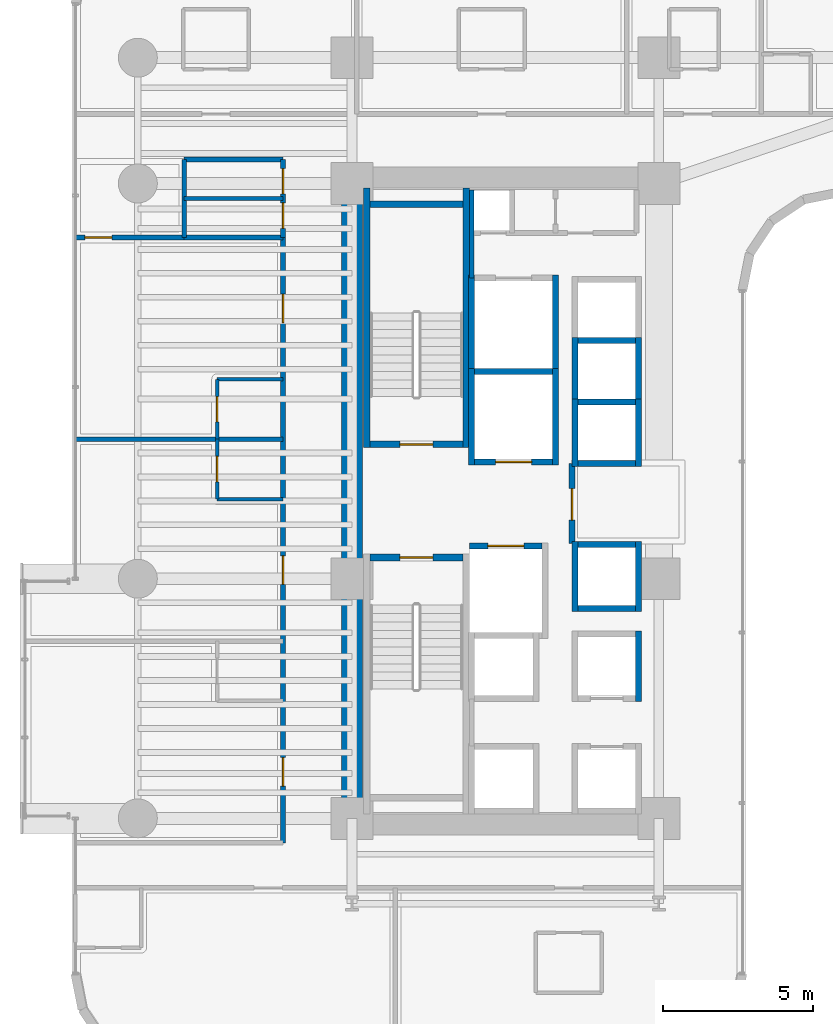
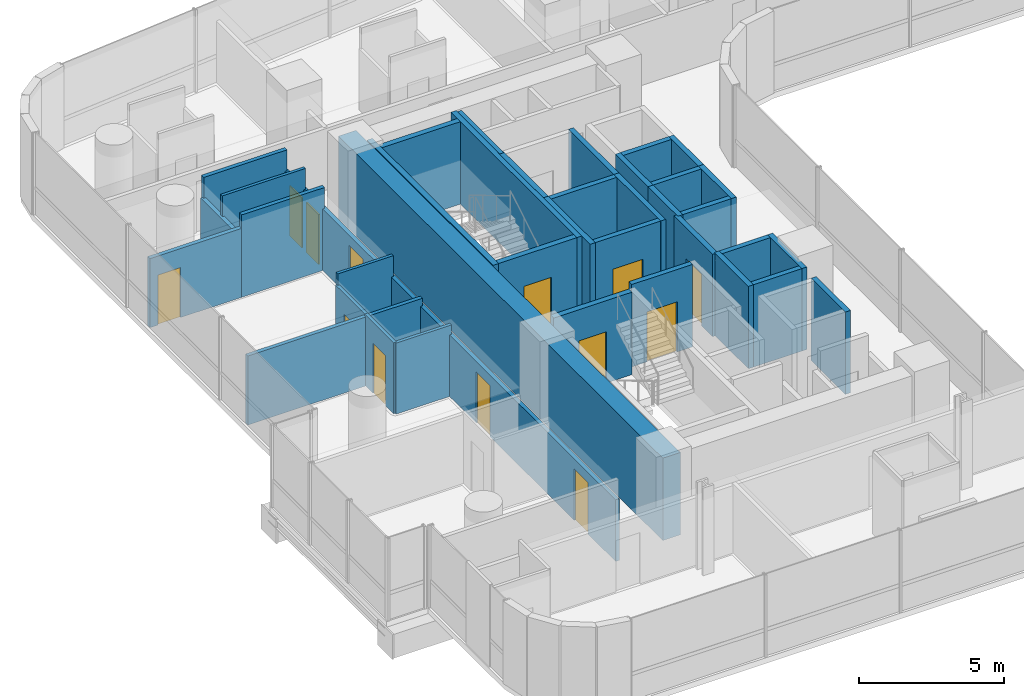
# One storey, part 31 of 42: 39 walls, 13 doors, 13 openings.
"""IFC4 building model written with IfcOpenShell, lengths in metres."""

from ifc_helpers import new_model, si_unit, direction, frame, frame_2d, origin, place, context, subcontext, project, spatial, rectangle, extrude, material, layer, layer_set, type_object, element, fill, save


model = new_model("IFC4")

# Units and contexts
model_context = context("Model", 3, precision=1e-05, world=origin(), true_north=direction((0.0, 1.0)))
body_context = subcontext(model_context, "Body", "Model", "MODEL_VIEW")
ifc_project = project(units=[si_unit("LENGTHUNIT", "METRE"), si_unit("AREAUNIT", "SQUARE_METRE"), si_unit("VOLUMEUNIT", "CUBIC_METRE"), si_unit("PLANEANGLEUNIT", "RADIAN"), si_unit("MASSUNIT", "GRAM", prefix="KILO")], contexts=[model_context])

# Site, building, storey
site_placement = place(None, origin())
site = spatial("IfcSite", under=ifc_project, at=site_placement, CompositionType="ELEMENT")
building_placement = place(site_placement, origin())
building = spatial("IfcBuilding", under=site, at=building_placement, Name="Valdorenza Pilgrim Sanctuary Tower", CompositionType="ELEMENT")
storey_placement = place(building_placement, frame((0.0, 0.0, 29.699951171875)))
storey = spatial("IfcBuildingStorey", under=building, at=storey_placement, Name="L06", CompositionType="ELEMENT", Elevation=29.699951171875)

# Walls
ifc_material_1 = material(Name="Acoustic twin-stud gypsum partition", Category="gypsum")
ifc_layer_1 = layer(ifc_material_1, 0.159912109375, Name="Acoustic twin-stud gypsum partition")
ifc_layer_set_1 = layer_set([ifc_layer_1], Name="Acoustic twin-stud gypsum partition")
wall_type_1 = type_object("IfcWallType", Name="WAL-COR-160", PredefinedType="PARTITIONING", material=ifc_layer_set_1)
wall_1_placement = place(storey_placement, frame((-18.64990234375, 7.449951171875, 0.0), z_axis=(0.0, 0.0, 1.0), x_axis=(0.0, 1.0, 0.0)))
element("IfcWall", 1, at=wall_1_placement, inside=storey, type_object=wall_type_1, Name="L06 Core A North Service West Wall", PredefinedType="PARTITIONING", context=body_context, shape_type="SweptSolid", body=[
    extrude(rectangle(XDim=2.929931640625, YDim=0.159912109375, at=frame_2d((1.46484375, 0.0))), origin(), (0.0, 0.0, 1.0), 3.4599609375),
])
wall_2_placement = place(storey_placement, frame((-28.25, 8.800048828125, 0.0), z_axis=(0.0, 0.0, 1.0), x_axis=(0.0, 1.0, 0.0)))
element("IfcWall", 2, at=wall_2_placement, inside=storey, type_object=wall_type_1, Name="L06 Washroom West Wall", PredefinedType="PARTITIONING", context=body_context, shape_type="SweptSolid", body=[
    extrude(rectangle(XDim=2.599853515625, YDim=0.159912109375, at=frame_2d((1.2998046875, 0.0))), origin(), (0.0, 0.0, 1.0), 2.5830078125),
])

# Wall, openings, doors
wall_3_placement = place(storey_placement, frame((-24.949951171875, 8.800048828125, 0.0), z_axis=(0.0, 0.0, 1.0), x_axis=(0.0, 1.0, 0.0)))
wall_3 = element("IfcWall", 3, at=wall_3_placement, inside=storey, type_object=wall_type_1, Name="L06 Washroom East Wall", PredefinedType="PARTITIONING", context=body_context, shape_type="SweptSolid", body=[
    extrude(rectangle(XDim=2.599853515625, YDim=0.159912109375, at=frame_2d((1.2998046875, 0.0))), origin(), (0.0, 0.0, 1.0), 2.5830078125),
])
opening_1_placement = place(wall_3_placement, frame((0.300048828125, 0.0, 0.0)))
opening_1 = element("IfcOpeningElement", 4, at=opening_1_placement, cuts=wall_3, Name="Opening DR-WC1", PredefinedType="OPENING", context=body_context, shape_type="SweptSolid", body=[
    extrude(rectangle(XDim=0.85009765625, YDim=2.10009765625, at=frame_2d((0.425048828125, 1.050048828125))), frame((0.0, 0.0947265625, 0.0), z_axis=(0.0, -1.0, 0.0), x_axis=(1.0, 0.0, 0.0)), (0.0, 0.0, 1.0), 0.189697265625),
])
opening_2_placement = place(wall_3_placement, frame((1.449951171875, 0.0, 0.0)))
opening_2 = element("IfcOpeningElement", 5, at=opening_2_placement, cuts=wall_3, Name="Opening DR-WC1", PredefinedType="OPENING", context=body_context, shape_type="SweptSolid", body=[
    extrude(rectangle(XDim=0.85009765625, YDim=2.10009765625, at=frame_2d((0.425048828125, 1.050048828125))), frame((0.0, 0.0947265625, 0.0), z_axis=(0.0, -1.0, 0.0), x_axis=(1.0, 0.0, 0.0)), (0.0, 0.0, 1.0), 0.189697265625),
])
ifc_material_2 = material(Name="Moisture-resistant lacquered timber", Category="wood")
door_type_1 = type_object("IfcDoorType", Name="DR-BATH-850", OperationType="NOTDEFINED", PredefinedType="DOOR", material=ifc_material_2)
door_1_placement = place(opening_1_placement, origin())
door_1 = element("IfcDoor", 6, at=door_1_placement, inside=storey, type_object=door_type_1, Name="L06 Accessible Washroom Door", OperationType="SINGLE_SWING_RIGHT", OverallHeight=2.10009765625, OverallWidth=0.85009765625, PredefinedType="DOOR", context=body_context, shape_type="SweptSolid", body=[
    extrude(rectangle(XDim=0.85009765625, YDim=2.10009765625, at=frame_2d((0.425048828125, 1.050048828125))), frame((0.0, 0.02490234375, 0.0), z_axis=(0.0, -1.0, 0.0), x_axis=(1.0, 0.0, 0.0)), (0.0, 0.0, 1.0), 0.050048828125),
])
fill(opening_1, door_1)
door_2_placement = place(opening_2_placement, origin())
door_2 = element("IfcDoor", 7, at=door_2_placement, inside=storey, type_object=door_type_1, Name="L06 Public Washroom Door", OperationType="SINGLE_SWING_LEFT", OverallHeight=2.10009765625, OverallWidth=0.85009765625, PredefinedType="DOOR", context=body_context, shape_type="SweptSolid", body=[
    extrude(rectangle(XDim=0.85009765625, YDim=2.10009765625, at=frame_2d((0.425048828125, 1.050048828125))), frame((0.0, 0.02490234375, 0.0), z_axis=(0.0, -1.0, 0.0), x_axis=(1.0, 0.0, 0.0)), (0.0, 0.0, 1.0), 0.050048828125),
])
fill(opening_2, door_2)

# Walls
for number, where, z_axis, x_axis, name in (
    (8, (-28.25, 8.800048828125, 0.0), (0.0, 0.0, 1.0), (1.0, 0.0, 0.0), "L06 Washroom South Wall"),
    (9, (-28.25, 11.39990234375, 0.0), (0.0, 0.0, 1.0), (1.0, 0.0, 0.0), "L06 Washroom North Wall"),
):
    element("IfcWall", number, at=place(storey_placement, frame(where, z_axis=z_axis, x_axis=x_axis)), inside=storey, type_object=wall_type_1, Name=name, PredefinedType="PARTITIONING", context=body_context, shape_type="SweptSolid", body=[
        extrude(rectangle(XDim=3.300048828125, YDim=0.159912109375, at=frame_2d((1.64990234375, 0.0))), origin(), (0.0, 0.0, 1.0), 3.4599609375),
    ])

# Wall, openings, doors
wall_4_placement = place(storey_placement, frame((-24.949951171875, -11.419921875, 0.0), z_axis=(0.0, 0.0, 1.0), x_axis=(0.0, 1.0, 0.0)))
wall_4 = element("IfcWall", 10, at=wall_4_placement, inside=storey, type_object=wall_type_1, Name="L06 West Wing Corridor Wall", PredefinedType="PARTITIONING", context=body_context, shape_type="SweptSolid", body=[
    extrude(rectangle(XDim=20.219970703125, YDim=0.159912109375, at=frame_2d((10.10986328125, 0.0))), origin(), (0.0, 0.0, 1.0), 2.5830078125),
])
opening_3_placement = place(wall_4_placement, frame((1.89501953125, 0.0, 0.0)))
opening_3 = element("IfcOpeningElement", 11, at=opening_3_placement, cuts=wall_4, Name="Opening DR-UN1", PredefinedType="OPENING", context=body_context, shape_type="SweptSolid", body=[
    extrude(rectangle(XDim=0.949951171875, YDim=2.14990234375, at=frame_2d((0.47509765625, 1.074951171875))), frame((0.0, 0.0947265625, 0.0), z_axis=(0.0, -1.0, 0.0), x_axis=(1.0, 0.0, 0.0)), (0.0, 0.0, 1.0), 0.189697265625),
])
opening_4_placement = place(wall_4_placement, frame((8.635009765625, 0.0, 0.0)))
opening_4 = element("IfcOpeningElement", 12, at=opening_4_placement, cuts=wall_4, Name="Opening DR-UN1", PredefinedType="OPENING", context=body_context, shape_type="SweptSolid", body=[
    extrude(rectangle(XDim=0.949951171875, YDim=2.14990234375, at=frame_2d((0.47509765625, 1.074951171875))), frame((0.0, 0.0947265625, 0.0), z_axis=(0.0, -1.0, 0.0), x_axis=(1.0, 0.0, 0.0)), (0.0, 0.0, 1.0), 0.189697265625),
])
opening_5_placement = place(wall_4_placement, frame((17.375, 0.0, 0.0)))
opening_5 = element("IfcOpeningElement", 13, at=opening_5_placement, cuts=wall_4, Name="Opening DR-UN1", PredefinedType="OPENING", context=body_context, shape_type="SweptSolid", body=[
    extrude(rectangle(XDim=0.949951171875, YDim=2.14990234375, at=frame_2d((0.47509765625, 1.074951171875))), frame((0.0, 0.0947265625, 0.0), z_axis=(0.0, -1.0, 0.0), x_axis=(1.0, 0.0, 0.0)), (0.0, 0.0, 1.0), 0.189697265625),
])
ifc_material_3 = material(Name="Solid-core European oak timber", Category="wood")
door_type_2 = type_object("IfcDoorType", Name="DR-UNIT-950", OperationType="NOTDEFINED", PredefinedType="DOOR", material=ifc_material_3)
door_3_placement = place(opening_3_placement, frame((0.949951171875, 0.0, 0.0), z_axis=(0.0, 0.0, 1.0), x_axis=(-1.0, 0.0, 0.0)))
door_3 = element("IfcDoor", 14, at=door_3_placement, inside=storey, type_object=door_type_2, Name="L06 Pilgrim Guest Room L06-W1 Entrance Door", OperationType="SINGLE_SWING_LEFT", OverallHeight=2.14990234375, OverallWidth=0.949951171875, PredefinedType="DOOR", context=body_context, shape_type="SweptSolid", body=[
    extrude(rectangle(XDim=0.949951171875, YDim=2.14990234375, at=frame_2d((0.47509765625, 1.074951171875))), frame((0.0, 0.02490234375, 0.0), z_axis=(0.0, -1.0, 0.0), x_axis=(1.0, 0.0, 0.0)), (0.0, 0.0, 1.0), 0.050048828125),
])
fill(opening_3, door_3)
door_4_placement = place(opening_4_placement, frame((0.949951171875, 0.0, 0.0), z_axis=(0.0, 0.0, 1.0), x_axis=(-1.0, 0.0, 0.0)))
door_4 = element("IfcDoor", 15, at=door_4_placement, inside=storey, type_object=door_type_2, Name="L06 Pilgrim Guest Room L06-W2 Entrance Door", OperationType="SINGLE_SWING_LEFT", OverallHeight=2.14990234375, OverallWidth=0.949951171875, PredefinedType="DOOR", context=body_context, shape_type="SweptSolid", body=[
    extrude(rectangle(XDim=0.949951171875, YDim=2.14990234375, at=frame_2d((0.47509765625, 1.074951171875))), frame((0.0, 0.02490234375, 0.0), z_axis=(0.0, -1.0, 0.0), x_axis=(1.0, 0.0, 0.0)), (0.0, 0.0, 1.0), 0.050048828125),
])
fill(opening_4, door_4)
door_5_placement = place(opening_5_placement, frame((0.949951171875, 0.0, 0.0), z_axis=(0.0, 0.0, 1.0), x_axis=(-1.0, 0.0, 0.0)))
door_5 = element("IfcDoor", 16, at=door_5_placement, inside=storey, type_object=door_type_2, Name="L06 Pilgrim Guest Room L06-W3 Entrance Door", OperationType="SINGLE_SWING_LEFT", OverallHeight=2.14990234375, OverallWidth=0.949951171875, PredefinedType="DOOR", context=body_context, shape_type="SweptSolid", body=[
    extrude(rectangle(XDim=0.949951171875, YDim=2.14990234375, at=frame_2d((0.47509765625, 1.074951171875))), frame((0.0, 0.02490234375, 0.0), z_axis=(0.0, -1.0, 0.0), x_axis=(1.0, 0.0, 0.0)), (0.0, 0.0, 1.0), 0.050048828125),
])
fill(opening_5, door_5)

# Wall, opening, door
wall_5_placement = place(storey_placement, frame((-31.889892578125, 8.800048828125, 0.0), z_axis=(0.0, 0.0, 1.0), x_axis=(1.0, 0.0, 0.0)))
wall_5 = element("IfcWall", 17, at=wall_5_placement, inside=storey, type_object=wall_type_1, Name="L06 West North Alcove Wall", PredefinedType="PARTITIONING", context=body_context, shape_type="SweptSolid", body=[
    extrude(rectangle(XDim=3.639892578125, YDim=0.159912109375, at=frame_2d((1.81982421875, 0.0))), origin(), (0.0, 0.0, 1.0), 2.89599609375),
])
opening_6_placement = place(wall_5_placement, frame((0.320068359375, 0.0, 0.0)))
opening_6 = element("IfcOpeningElement", 18, at=opening_6_placement, cuts=wall_5, Name="Opening DR-RM1", PredefinedType="OPENING", context=body_context, shape_type="SweptSolid", body=[
    extrude(rectangle(XDim=0.89990234375, YDim=2.10009765625, at=frame_2d((0.449951171875, 1.050048828125))), frame((0.0, 0.0947265625, 0.0), z_axis=(0.0, -1.0, 0.0), x_axis=(1.0, 0.0, 0.0)), (0.0, 0.0, 1.0), 0.189697265625),
])
door_type_3 = type_object("IfcDoorType", Name="DR-ROOM-900", OperationType="NOTDEFINED", PredefinedType="DOOR", material=ifc_material_3)
door_6_placement = place(opening_6_placement, origin())
door_6 = element("IfcDoor", 19, at=door_6_placement, inside=storey, type_object=door_type_3, Name="L06 Pilgrim Scholar Office L06-WN Door", OperationType="SINGLE_SWING_RIGHT", OverallHeight=2.10009765625, OverallWidth=0.89990234375, PredefinedType="DOOR", context=body_context, shape_type="SweptSolid", body=[
    extrude(rectangle(XDim=0.89990234375, YDim=2.10009765625, at=frame_2d((0.449951171875, 1.050048828125))), frame((0.0, 0.02490234375, 0.0), z_axis=(0.0, -1.0, 0.0), x_axis=(1.0, 0.0, 0.0)), (0.0, 0.0, 1.0), 0.050048828125),
])
fill(opening_6, door_6)

# Wall
ifc_material_4 = material(Name="Concrete C60/75", Category="concrete")
ifc_layer_2 = layer(ifc_material_4, 0.699951171875, Name="Concrete C60/75")
ifc_layer_set_2 = layer_set([ifc_layer_2], Name="Concrete C60/75")
wall_type_2 = type_object("IfcWallType", Name="WAL-COR-700", PredefinedType="SHEAR", material=ifc_layer_set_2)
wall_6_placement = place(storey_placement, frame((-22.64990234375, -11.14990234375, 0.0), z_axis=(0.0, 0.0, 1.0), x_axis=(0.0, 1.0, 0.0)))
element("IfcWall", 20, at=wall_6_placement, inside=storey, type_object=wall_type_2, Name="L06 Split Core A Shear Wall W", PredefinedType="SHEAR", context=body_context, shape_type="SweptSolid", body=[
    extrude(rectangle(XDim=22.2998046875, YDim=0.699951171875, at=frame_2d((11.14990234375, 0.0))), origin(), (0.0, 0.0, 1.0), 3.4599609375),
])

# Wall, opening, door
ifc_material_5 = material(Name="Gypsum shaftwall partition", Category="gypsum")
ifc_layer_3 = layer(ifc_material_5, 0.199951171875, Name="Gypsum shaftwall partition")
ifc_layer_set_3 = layer_set([ifc_layer_3], Name="Gypsum shaftwall partition")
wall_type_3 = type_object("IfcWallType", Name="WAL-FFL-200", PredefinedType="PARTITIONING", material=ifc_layer_set_3)
wall_7_placement = place(storey_placement, frame((-15.300048828125, -1.419921875, 0.0), z_axis=(0.0, 0.0, 1.0), x_axis=(0.0, 1.0, 0.0)))
wall_7 = element("IfcWall", 21, at=wall_7_placement, inside=storey, type_object=wall_type_3, Name="L06 Core A Firefighting Lobby East Wall", PredefinedType="PARTITIONING", context=body_context, shape_type="SweptSolid", body=[
    extrude(rectangle(XDim=2.669921875, YDim=0.199951171875, at=frame_2d((1.3349609375, 0.0))), origin(), (0.0, 0.0, 1.0), 3.4599609375),
])
opening_7_placement = place(wall_7_placement, frame((0.780029296875, 0.0, 0.0)))
opening_7 = element("IfcOpeningElement", 22, at=opening_7_placement, cuts=wall_7, Name="Opening DR-FL1", PredefinedType="OPENING", context=body_context, shape_type="SweptSolid", body=[
    extrude(rectangle(XDim=1.050048828125, YDim=2.14990234375, at=frame_2d((0.52490234375, 1.074951171875))), frame((0.0, 0.11474609375, 0.0), z_axis=(0.0, -1.0, 0.0), x_axis=(1.0, 0.0, 0.0)), (0.0, 0.0, 1.0), 0.229736328125),
])
ifc_material_6 = material(Name="Painted galvanized steel", Category="steel")
door_type_4 = type_object("IfcDoorType", Name="DR-FFL-1050", OperationType="NOTDEFINED", PredefinedType="DOOR", material=ifc_material_6)
door_7_placement = place(opening_7_placement, origin())
door_7 = element("IfcDoor", 23, at=door_7_placement, inside=storey, type_object=door_type_4, Name="L06 Core A Firefighting Lobby Door", OperationType="SINGLE_SWING_RIGHT", OverallHeight=2.14990234375, OverallWidth=1.050048828125, PredefinedType="DOOR", context=body_context, shape_type="SweptSolid", body=[
    extrude(rectangle(XDim=1.050048828125, YDim=2.14990234375, at=frame_2d((0.52490234375, 1.074951171875))), frame((0.0, 0.02490234375, 0.0), z_axis=(0.0, -1.0, 0.0), x_axis=(1.0, 0.0, 0.0)), (0.0, 0.0, 1.0), 0.050048828125),
])
fill(opening_7, door_7)

# Walls
ifc_material_7 = material(Name="Moisture-resistant gypsum partition", Category="gypsum")
ifc_layer_4 = layer(ifc_material_7, 0.1201171875, Name="Moisture-resistant gypsum partition")
ifc_layer_set_4 = layer_set([ifc_layer_4], Name="Moisture-resistant gypsum partition")
wall_type_4 = type_object("IfcWallType", Name="WAL-INT-120", PredefinedType="PARTITIONING", material=ifc_layer_set_4)
wall_8_placement = place(storey_placement, frame((-28.25, 10.10009765625, 0.0), z_axis=(0.0, 0.0, 1.0), x_axis=(1.0, 0.0, 0.0)))
element("IfcWall", 24, at=wall_8_placement, inside=storey, type_object=wall_type_4, Name="L06 Washroom Divider Wall", PredefinedType="PARTITIONING", context=body_context, shape_type="SweptSolid", body=[
    extrude(rectangle(XDim=3.300048828125, YDim=0.1201171875, at=frame_2d((1.64990234375, 0.0))), origin(), (0.0, 0.0, 1.0), 3.4599609375),
])
wall_9_placement = place(storey_placement, frame((-27.14990234375, 0.06005859375, 0.0), z_axis=(0.0, 0.0, 1.0), x_axis=(1.0, 0.0, 0.0)))
element("IfcWall", 25, at=wall_9_placement, inside=storey, type_object=wall_type_4, Name="L06 Pilgrim Guest Room L06-W2 En-suite South Wall", PredefinedType="PARTITIONING", context=body_context, shape_type="SweptSolid", body=[
    extrude(rectangle(XDim=2.199951171875, YDim=0.1201171875, at=frame_2d((1.10009765625, 0.0))), origin(), (0.0, 0.0, 1.0), 2.97900390625),
])

# Wall, opening, door
wall_10_placement = place(storey_placement, frame((-27.14990234375, 0.06005859375, 0.0), z_axis=(0.0, 0.0, 1.0), x_axis=(0.0, 1.0, 0.0)))
wall_10 = element("IfcWall", 26, at=wall_10_placement, inside=storey, type_object=wall_type_4, Name="L06 Pilgrim Guest Room L06-W2 En-suite Door Wall", PredefinedType="PARTITIONING", context=body_context, shape_type="SweptSolid", body=[
    extrude(rectangle(XDim=2.0, YDim=0.1201171875, at=frame_2d((1.0, 0.0))), origin(), (0.0, 0.0, 1.0), 2.97900390625),
])
opening_8_placement = place(wall_10_placement, frame((0.574951171875, 0.0, 0.0)))
opening_8 = element("IfcOpeningElement", 27, at=opening_8_placement, cuts=wall_10, Name="Opening DR-WC1", PredefinedType="OPENING", context=body_context, shape_type="SweptSolid", body=[
    extrude(rectangle(XDim=0.85009765625, YDim=2.10009765625, at=frame_2d((0.425048828125, 1.050048828125))), frame((0.0, 0.074951171875, 0.0), z_axis=(0.0, -1.0, 0.0), x_axis=(1.0, 0.0, 0.0)), (0.0, 0.0, 1.0), 0.14990234375),
])
door_8_placement = place(opening_8_placement, origin())
door_8 = element("IfcDoor", 28, at=door_8_placement, inside=storey, type_object=door_type_1, Name="L06 Pilgrim Guest Room L06-W2 En-suite Bathroom Door", OperationType="SINGLE_SWING_RIGHT", OverallHeight=2.10009765625, OverallWidth=0.85009765625, PredefinedType="DOOR", context=body_context, shape_type="SweptSolid", body=[
    extrude(rectangle(XDim=0.85009765625, YDim=2.10009765625, at=frame_2d((0.425048828125, 1.050048828125))), frame((0.0, 0.02490234375, 0.0), z_axis=(0.0, -1.0, 0.0), x_axis=(1.0, 0.0, 0.0)), (0.0, 0.0, 1.0), 0.050048828125),
])
fill(opening_8, door_8)

# Wall
wall_11_placement = place(storey_placement, frame((-27.14990234375, 4.06005859375, 0.0), z_axis=(0.0, 0.0, 1.0), x_axis=(1.0, 0.0, 0.0)))
element("IfcWall", 29, at=wall_11_placement, inside=storey, type_object=wall_type_4, Name="L06 Pilgrim Guest Room L06-W3 En-suite North Wall", PredefinedType="PARTITIONING", context=body_context, shape_type="SweptSolid", body=[
    extrude(rectangle(XDim=2.199951171875, YDim=0.1201171875, at=frame_2d((1.10009765625, 0.0))), origin(), (0.0, 0.0, 1.0), 3.4599609375),
])

# Wall, opening, door
wall_12_placement = place(storey_placement, frame((-27.14990234375, 2.06005859375, 0.0), z_axis=(0.0, 0.0, 1.0), x_axis=(0.0, 1.0, 0.0)))
wall_12 = element("IfcWall", 30, at=wall_12_placement, inside=storey, type_object=wall_type_4, Name="L06 Pilgrim Guest Room L06-W3 En-suite Door Wall", PredefinedType="PARTITIONING", context=body_context, shape_type="SweptSolid", body=[
    extrude(rectangle(XDim=2.0, YDim=0.1201171875, at=frame_2d((1.0, 0.0))), origin(), (0.0, 0.0, 1.0), 2.97900390625),
])
opening_9_placement = place(wall_12_placement, frame((0.574951171875, 0.0, 0.0)))
opening_9 = element("IfcOpeningElement", 31, at=opening_9_placement, cuts=wall_12, Name="Opening DR-WC1", PredefinedType="OPENING", context=body_context, shape_type="SweptSolid", body=[
    extrude(rectangle(XDim=0.85009765625, YDim=2.10009765625, at=frame_2d((0.425048828125, 1.050048828125))), frame((0.0, 0.074951171875, 0.0), z_axis=(0.0, -1.0, 0.0), x_axis=(1.0, 0.0, 0.0)), (0.0, 0.0, 1.0), 0.14990234375),
])
door_9_placement = place(opening_9_placement, origin())
door_9 = element("IfcDoor", 32, at=door_9_placement, inside=storey, type_object=door_type_1, Name="L06 Pilgrim Guest Room L06-W3 En-suite Bathroom Door", OperationType="SINGLE_SWING_RIGHT", OverallHeight=2.10009765625, OverallWidth=0.85009765625, PredefinedType="DOOR", context=body_context, shape_type="SweptSolid", body=[
    extrude(rectangle(XDim=0.85009765625, YDim=2.10009765625, at=frame_2d((0.425048828125, 1.050048828125))), frame((0.0, 0.02490234375, 0.0), z_axis=(0.0, -1.0, 0.0), x_axis=(1.0, 0.0, 0.0)), (0.0, 0.0, 1.0), 0.050048828125),
])
fill(opening_9, door_9)

# Walls
ifc_material_8 = material(Name="Autoclaved aerated concrete blockwork", Category="masonry")
ifc_layer_5 = layer(ifc_material_8, 0.199951171875, Name="Autoclaved aerated concrete blockwork")
ifc_layer_set_5 = layer_set([ifc_layer_5], Name="Autoclaved aerated concrete blockwork")
wall_type_5 = type_object("IfcWallType", Name="WAL-SHF-200", PredefinedType="MOVABLE", material=ifc_layer_set_5)
for number, where, z_axis, x_axis, name in (
    (33, (-18.64990234375, 1.199951171875, 0.0), (0.0, 0.0, 1.0), (0.0, 1.0, 0.0), "L06 Lift FFL-01 Hoistway Wall West"),
    (34, (-15.85009765625, 1.199951171875, 0.0), (0.0, 0.0, 1.0), (0.0, 1.0, 0.0), "L06 Lift FFL-01 Hoistway Wall East"),
):
    element("IfcWall", number, at=place(storey_placement, frame(where, z_axis=z_axis, x_axis=x_axis)), inside=storey, type_object=wall_type_5, Name=name, PredefinedType="MOVABLE", context=body_context, shape_type="SweptSolid", body=[
        extrude(rectangle(XDim=3.22509765625, YDim=0.199951171875, at=frame_2d((1.612548828125, 0.0))), origin(), (0.0, 0.0, 1.0), 3.4599609375),
    ])

# Wall, opening, door
wall_13_placement = place(storey_placement, frame((-18.550048828125, 1.300048828125, 0.0), z_axis=(0.0, 0.0, 1.0), x_axis=(1.0, 0.0, 0.0)))
wall_13 = element("IfcWall", 35, at=wall_13_placement, inside=storey, type_object=wall_type_5, Name="L06 Lift FFL-01 Hoistway Wall South", PredefinedType="MOVABLE", context=body_context, shape_type="SweptSolid", body=[
    extrude(rectangle(XDim=2.60009765625, YDim=0.199951171875, at=frame_2d((1.300048828125, 0.0))), origin(), (0.0, 0.0, 1.0), 3.4599609375),
])
opening_10_placement = place(wall_13_placement, frame((0.699951171875, 0.0, 0.0)))
opening_10 = element("IfcOpeningElement", 36, at=opening_10_placement, cuts=wall_13, Name="Opening LD-02", PredefinedType="OPENING", context=body_context, shape_type="SweptSolid", body=[
    extrude(rectangle(XDim=1.199951171875, YDim=2.10009765625, at=frame_2d((0.60009765625, 1.050048828125))), frame((0.0, 0.11474609375, 0.0), z_axis=(0.0, -1.0, 0.0), x_axis=(1.0, 0.0, 0.0)), (0.0, 0.0, 1.0), 0.229736328125),
])
ifc_material_9 = material(Name="Brushed stainless steel Grade 316", Category="steel")
door_type_5 = type_object("IfcDoorType", Name="DR-LFT-1200", OperationType="DOUBLE_DOOR_SLIDING", PredefinedType="DOOR", material=ifc_material_9)
door_10_placement = place(opening_10_placement, origin())
door_10 = element("IfcDoor", 37, at=door_10_placement, inside=storey, type_object=door_type_5, Name="L06 Lift FFL-01 Sliding Landing Door", OperationType="DOUBLE_DOOR_SLIDING", OverallHeight=2.10009765625, OverallWidth=1.199951171875, PredefinedType="DOOR", context=body_context, shape_type="SweptSolid", body=[
    extrude(rectangle(XDim=1.199951171875, YDim=2.10009765625, at=frame_2d((0.60009765625, 1.050048828125))), frame((0.0, 0.02490234375, 0.0), z_axis=(0.0, -1.0, 0.0), x_axis=(1.0, 0.0, 0.0)), (0.0, 0.0, 1.0), 0.050048828125),
])
fill(opening_10, door_10)

# Wall
wall_14_placement = place(storey_placement, frame((-18.550048828125, 4.324951171875, 0.0), z_axis=(0.0, 0.0, 1.0), x_axis=(1.0, 0.0, 0.0)))
element("IfcWall", 38, at=wall_14_placement, inside=storey, type_object=wall_type_5, Name="L06 Lift FFL-01 Hoistway Wall North", PredefinedType="MOVABLE", context=body_context, shape_type="SweptSolid", body=[
    extrude(rectangle(XDim=2.60009765625, YDim=0.199951171875, at=frame_2d((1.300048828125, 0.0))), origin(), (0.0, 0.0, 1.0), 3.4599609375),
])

# Wall, opening, door
wall_15_placement = place(storey_placement, frame((-18.719970703125, -1.5, 0.0), z_axis=(0.0, 0.0, 1.0), x_axis=(1.0, 0.0, 0.0)))
wall_15 = element("IfcWall", 39, at=wall_15_placement, inside=storey, type_object=wall_type_5, Name="L06 Lift FFL-02 Hoistway Wall North", PredefinedType="MOVABLE", context=body_context, shape_type="SweptSolid", body=[
    extrude(rectangle(XDim=2.419921875, YDim=0.199951171875, at=frame_2d((1.2099609375, 0.0))), origin(), (0.0, 0.0, 1.0), 3.4599609375),
])
opening_11_placement = place(wall_15_placement, frame((0.610107421875, 0.0, 0.0)))
opening_11 = element("IfcOpeningElement", 40, at=opening_11_placement, cuts=wall_15, Name="Opening LD-02", PredefinedType="OPENING", context=body_context, shape_type="SweptSolid", body=[
    extrude(rectangle(XDim=1.199951171875, YDim=2.10009765625, at=frame_2d((0.60009765625, 1.050048828125))), frame((0.0, 0.11474609375, 0.0), z_axis=(0.0, -1.0, 0.0), x_axis=(1.0, 0.0, 0.0)), (0.0, 0.0, 1.0), 0.229736328125),
])
door_11_placement = place(opening_11_placement, origin())
door_11 = element("IfcDoor", 41, at=door_11_placement, inside=storey, type_object=door_type_5, Name="L06 Lift FFL-02 Sliding Landing Door", OperationType="DOUBLE_DOOR_SLIDING", OverallHeight=2.10009765625, OverallWidth=1.199951171875, PredefinedType="DOOR", context=body_context, shape_type="SweptSolid", body=[
    extrude(rectangle(XDim=1.199951171875, YDim=2.10009765625, at=frame_2d((0.60009765625, 1.050048828125))), frame((0.0, 0.02490234375, 0.0), z_axis=(0.0, -1.0, 0.0), x_axis=(1.0, 0.0, 0.0)), (0.0, 0.0, 1.0), 0.050048828125),
])
fill(opening_11, door_11)

# Walls
for number, where, z_axis, x_axis, name in (
    (42, (-18.64990234375, 4.22509765625, 0.0), (0.0, 0.0, 1.0), (0.0, 1.0, 0.0), "L06 Lift SVL-01 Hoistway Wall West"),
    (43, (-15.85009765625, 4.22509765625, 0.0), (0.0, 0.0, 1.0), (0.0, 1.0, 0.0), "L06 Lift SVL-01 Hoistway Wall East"),
):
    element("IfcWall", number, at=place(storey_placement, frame(where, z_axis=z_axis, x_axis=x_axis)), inside=storey, type_object=wall_type_5, Name=name, PredefinedType="MOVABLE", context=body_context, shape_type="SweptSolid", body=[
        extrude(rectangle(XDim=3.324951171875, YDim=0.199951171875, at=frame_2d((1.66259765625, 0.0))), origin(), (0.0, 0.0, 1.0), 3.4599609375),
    ])
wall_16_placement = place(storey_placement, frame((-13.080078125, -6.699951171875, 0.0), z_axis=(0.0, 0.0, 1.0), x_axis=(0.0, 1.0, 0.0)))
element("IfcWall", 44, at=wall_16_placement, inside=storey, type_object=wall_type_5, Name="L06 Lift PL-02 Hoistway Wall East", PredefinedType="MOVABLE", context=body_context, shape_type="SweptSolid", body=[
    extrude(rectangle(XDim=2.349853515625, YDim=0.199951171875, at=frame_2d((1.1748046875, 0.0))), origin(), (0.0, 0.0, 1.0), 3.4599609375),
])
for number, where, z_axis, x_axis, name in (
    (45, (-15.199951171875, 1.14990234375, 0.0), (0.0, 0.0, 1.0), (0.0, 1.0, 0.0), "L06 Lift PL-06 Hoistway Wall West"),
    (46, (-13.080078125, 1.14990234375, 0.0), (0.0, 0.0, 1.0), (0.0, 1.0, 0.0), "L06 Lift PL-06 Hoistway Wall East"),
):
    element("IfcWall", number, at=place(storey_placement, frame(where, z_axis=z_axis, x_axis=x_axis)), inside=storey, type_object=wall_type_5, Name=name, PredefinedType="MOVABLE", context=body_context, shape_type="SweptSolid", body=[
        extrude(rectangle(XDim=2.25, YDim=0.199951171875, at=frame_2d((1.125, 0.0))), origin(), (0.0, 0.0, 1.0), 3.4599609375),
    ])
wall_17_placement = place(storey_placement, frame((-15.10009765625, 1.25, 0.0), z_axis=(0.0, 0.0, 1.0), x_axis=(1.0, 0.0, 0.0)))
element("IfcWall", 47, at=wall_17_placement, inside=storey, type_object=wall_type_5, Name="L06 Lift PL-06 Hoistway Wall South", PredefinedType="MOVABLE", context=body_context, shape_type="SweptSolid", body=[
    extrude(rectangle(XDim=1.920166015625, YDim=0.199951171875, at=frame_2d((0.9599609375, 0.0))), origin(), (0.0, 0.0, 1.0), 3.4599609375),
])
for number, where, z_axis, x_axis, name in (
    (48, (-15.199951171875, 3.199951171875, 0.0), (0.0, 0.0, 1.0), (0.0, 1.0, 0.0), "L06 Lift PL-09 Hoistway Wall West"),
    (49, (-13.080078125, 3.199951171875, 0.0), (0.0, 0.0, 1.0), (0.0, 1.0, 0.0), "L06 Lift PL-09 Hoistway Wall East"),
):
    element("IfcWall", number, at=place(storey_placement, frame(where, z_axis=z_axis, x_axis=x_axis)), inside=storey, type_object=wall_type_5, Name=name, PredefinedType="MOVABLE", context=body_context, shape_type="SweptSolid", body=[
        extrude(rectangle(XDim=2.25, YDim=0.199951171875, at=frame_2d((1.125, 0.0))), origin(), (0.0, 0.0, 1.0), 3.4599609375),
    ])
for number, where, z_axis, x_axis, name in (
    (50, (-15.10009765625, 3.300048828125, 0.0), (0.0, 0.0, 1.0), (1.0, 0.0, 0.0), "L06 Lift PL-09 Hoistway Wall South"),
    (51, (-15.10009765625, 5.35009765625, 0.0), (0.0, 0.0, 1.0), (1.0, 0.0, 0.0), "L06 Lift PL-09 Hoistway Wall North"),
):
    element("IfcWall", number, at=place(storey_placement, frame(where, z_axis=z_axis, x_axis=x_axis)), inside=storey, type_object=wall_type_5, Name=name, PredefinedType="MOVABLE", context=body_context, shape_type="SweptSolid", body=[
        extrude(rectangle(XDim=1.920166015625, YDim=0.199951171875, at=frame_2d((0.9599609375, 0.0))), origin(), (0.0, 0.0, 1.0), 3.4599609375),
    ])
for number, where, z_axis, x_axis, name in (
    (52, (-15.199951171875, -3.699951171875, 0.0), (0.0, 0.0, 1.0), (0.0, 1.0, 0.0), "L06 Lift PL-12 Hoistway Wall West"),
    (53, (-13.080078125, -3.699951171875, 0.0), (0.0, 0.0, 1.0), (0.0, 1.0, 0.0), "L06 Lift PL-12 Hoistway Wall East"),
):
    element("IfcWall", number, at=place(storey_placement, frame(where, z_axis=z_axis, x_axis=x_axis)), inside=storey, type_object=wall_type_5, Name=name, PredefinedType="MOVABLE", context=body_context, shape_type="SweptSolid", body=[
        extrude(rectangle(XDim=2.349853515625, YDim=0.199951171875, at=frame_2d((1.1748046875, 0.0))), origin(), (0.0, 0.0, 1.0), 3.4599609375),
    ])
for number, where, z_axis, x_axis, name in (
    (54, (-15.10009765625, -3.60009765625, 0.0), (0.0, 0.0, 1.0), (1.0, 0.0, 0.0), "L06 Lift PL-12 Hoistway Wall South"),
    (55, (-15.10009765625, -1.449951171875, 0.0), (0.0, 0.0, 1.0), (1.0, 0.0, 0.0), "L06 Lift PL-12 Hoistway Wall North"),
):
    element("IfcWall", number, at=place(storey_placement, frame(where, z_axis=z_axis, x_axis=x_axis)), inside=storey, type_object=wall_type_5, Name=name, PredefinedType="MOVABLE", context=body_context, shape_type="SweptSolid", body=[
        extrude(rectangle(XDim=1.920166015625, YDim=0.199951171875, at=frame_2d((0.9599609375, 0.0))), origin(), (0.0, 0.0, 1.0), 3.4599609375),
    ])
ifc_material_10 = material(Name="Concrete C40/50", Category="concrete")
ifc_layer_6 = layer(ifc_material_10, 0.219970703125, Name="Concrete C40/50")
ifc_layer_set_6 = layer_set([ifc_layer_6], Name="Concrete C40/50")
wall_type_6 = type_object("IfcWallType", Name="WAL-STR-SHF-220", PredefinedType="SHEAR", material=ifc_layer_set_6)
for number, where, z_axis, x_axis, name in (
    (56, (-22.159912109375, 1.780029296875, 0.0), (0.0, 0.0, 1.0), (0.0, 1.0, 0.0), "L06 ST-A1 Structural Stairwell Wall W"),
    (57, (-18.830078125, 1.780029296875, 0.0), (0.0, 0.0, 1.0), (0.0, 1.0, 0.0), "L06 ST-A1 Structural Stairwell Wall E"),
):
    element("IfcWall", number, at=place(storey_placement, frame(where, z_axis=z_axis, x_axis=x_axis)), inside=storey, type_object=wall_type_6, Name=name, PredefinedType="SHEAR", context=body_context, shape_type="SweptSolid", body=[
        extrude(rectangle(XDim=8.669921875, YDim=0.219970703125, at=frame_2d((4.3349609375, 0.0))), origin(), (0.0, 0.0, 1.0), 3.4599609375),
    ])

# Wall, opening, door
wall_18_placement = place(storey_placement, frame((-22.050048828125, 1.889892578125, 0.0), z_axis=(0.0, 0.0, 1.0), x_axis=(1.0, 0.0, 0.0)))
wall_18 = element("IfcWall", 58, at=wall_18_placement, inside=storey, type_object=wall_type_6, Name="L06 ST-A1 Structural Stairwell Wall S", PredefinedType="SHEAR", context=body_context, shape_type="SweptSolid", body=[
    extrude(rectangle(XDim=3.110107421875, YDim=0.219970703125, at=frame_2d((1.55517578125, 0.0))), origin(), (0.0, 0.0, 1.0), 3.4599609375),
])
opening_12_placement = place(wall_18_placement, frame((1.0, 0.0, 0.0)))
opening_12 = element("IfcOpeningElement", 59, at=opening_12_placement, cuts=wall_18, Name="Opening DR-ST1", PredefinedType="OPENING", context=body_context, shape_type="SweptSolid", body=[
    extrude(rectangle(XDim=1.10009765625, YDim=2.14990234375, at=frame_2d((0.550048828125, 1.074951171875))), frame((0.0, 0.125, 0.0), z_axis=(0.0, -1.0, 0.0), x_axis=(1.0, 0.0, 0.0)), (0.0, 0.0, 1.0), 0.249755859375),
])
door_type_6 = type_object("IfcDoorType", Name="DR-STAIR-1100", OperationType="NOTDEFINED", PredefinedType="DOOR", material=ifc_material_6)
door_12_placement = place(opening_12_placement, frame((1.10009765625, 0.0, 0.0), z_axis=(0.0, 0.0, 1.0), x_axis=(-1.0, 0.0, 0.0)))
door_12 = element("IfcDoor", 60, at=door_12_placement, inside=storey, type_object=door_type_6, Name="L06 Exit Stair ST-A1 Door", OperationType="SINGLE_SWING_LEFT", OverallHeight=2.14990234375, OverallWidth=1.10009765625, PredefinedType="DOOR", context=body_context, shape_type="SweptSolid", body=[
    extrude(rectangle(XDim=1.10009765625, YDim=2.14990234375, at=frame_2d((0.550048828125, 1.074951171875))), frame((0.0, 0.02490234375, 0.0), z_axis=(0.0, -1.0, 0.0), x_axis=(1.0, 0.0, 0.0)), (0.0, 0.0, 1.0), 0.050048828125),
])
fill(opening_12, door_12)

# Wall
wall_19_placement = place(storey_placement, frame((-22.050048828125, 9.909912109375, 0.0), z_axis=(0.0, 0.0, 1.0), x_axis=(1.0, 0.0, 0.0)))
element("IfcWall", 61, at=wall_19_placement, inside=storey, type_object=wall_type_6, Name="L06 ST-A1 Structural Stairwell Wall N", PredefinedType="SHEAR", context=body_context, shape_type="SweptSolid", body=[
    extrude(rectangle(XDim=3.110107421875, YDim=0.219970703125, at=frame_2d((1.55517578125, 0.0))), origin(), (0.0, 0.0, 1.0), 3.4599609375),
])

# Wall, opening, door
wall_20_placement = place(storey_placement, frame((-22.050048828125, -1.889892578125, 0.0), z_axis=(0.0, 0.0, 1.0), x_axis=(1.0, 0.0, 0.0)))
wall_20 = element("IfcWall", 62, at=wall_20_placement, inside=storey, type_object=wall_type_6, Name="L06 ST-A2 Structural Stairwell Wall N", PredefinedType="SHEAR", context=body_context, shape_type="SweptSolid", body=[
    extrude(rectangle(XDim=3.110107421875, YDim=0.219970703125, at=frame_2d((1.55517578125, 0.0))), origin(), (0.0, 0.0, 1.0), 3.4599609375),
])
opening_13_placement = place(wall_20_placement, frame((1.0, 0.0, 0.0)))
opening_13 = element("IfcOpeningElement", 63, at=opening_13_placement, cuts=wall_20, Name="Opening DR-ST1", PredefinedType="OPENING", context=body_context, shape_type="SweptSolid", body=[
    extrude(rectangle(XDim=1.10009765625, YDim=2.14990234375, at=frame_2d((0.550048828125, 1.074951171875))), frame((0.0, 0.125, 0.0), z_axis=(0.0, -1.0, 0.0), x_axis=(1.0, 0.0, 0.0)), (0.0, 0.0, 1.0), 0.249755859375),
])
door_13_placement = place(opening_13_placement, origin())
door_13 = element("IfcDoor", 64, at=door_13_placement, inside=storey, type_object=door_type_6, Name="L06 Exit Stair ST-A2 Door", OperationType="SINGLE_SWING_RIGHT", OverallHeight=2.14990234375, OverallWidth=1.10009765625, PredefinedType="DOOR", context=body_context, shape_type="SweptSolid", body=[
    extrude(rectangle(XDim=1.10009765625, YDim=2.14990234375, at=frame_2d((0.550048828125, 1.074951171875))), frame((0.0, 0.02490234375, 0.0), z_axis=(0.0, -1.0, 0.0), x_axis=(1.0, 0.0, 0.0)), (0.0, 0.0, 1.0), 0.050048828125),
])
fill(opening_13, door_13)

# Wall
ifc_layer_7 = layer(ifc_material_1, 0.14990234375, Name="Acoustic twin-stud gypsum partition")
ifc_layer_set_7 = layer_set([ifc_layer_7], Name="Acoustic twin-stud gypsum partition")
wall_type_7 = type_object("IfcWallType", Name="WAL-UNT-150", PredefinedType="PARTITIONING", material=ifc_layer_set_7)
wall_21_placement = place(storey_placement, frame((-31.889892578125, 2.06005859375, 0.0), z_axis=(0.0, 0.0, 1.0), x_axis=(1.0, 0.0, 0.0)))
element("IfcWall", 65, at=wall_21_placement, inside=storey, type_object=wall_type_7, Name="L06 West Demising 2", PredefinedType="PARTITIONING", context=body_context, shape_type="SweptSolid", body=[
    extrude(rectangle(XDim=6.93994140625, YDim=0.14990234375, at=frame_2d((3.469970703125, 0.0))), origin(), (0.0, 0.0, 1.0), 2.89599609375),
])

save(model, "model.ifc")
